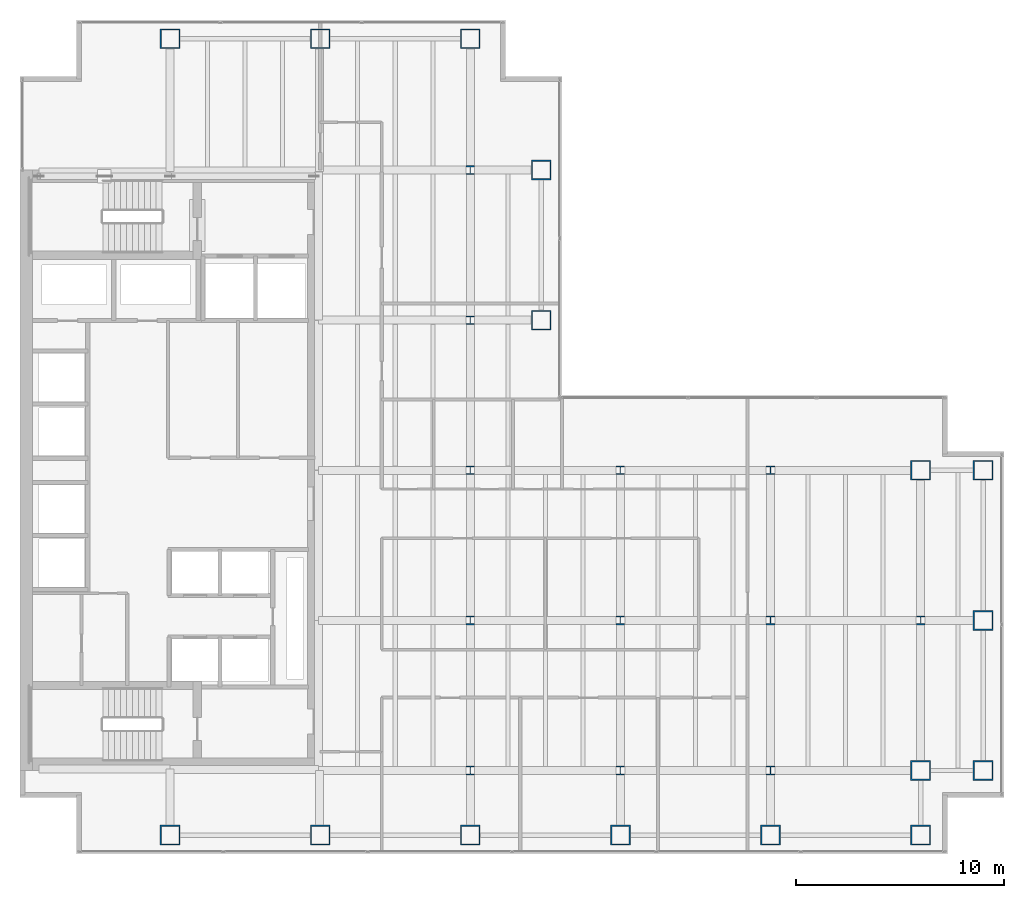
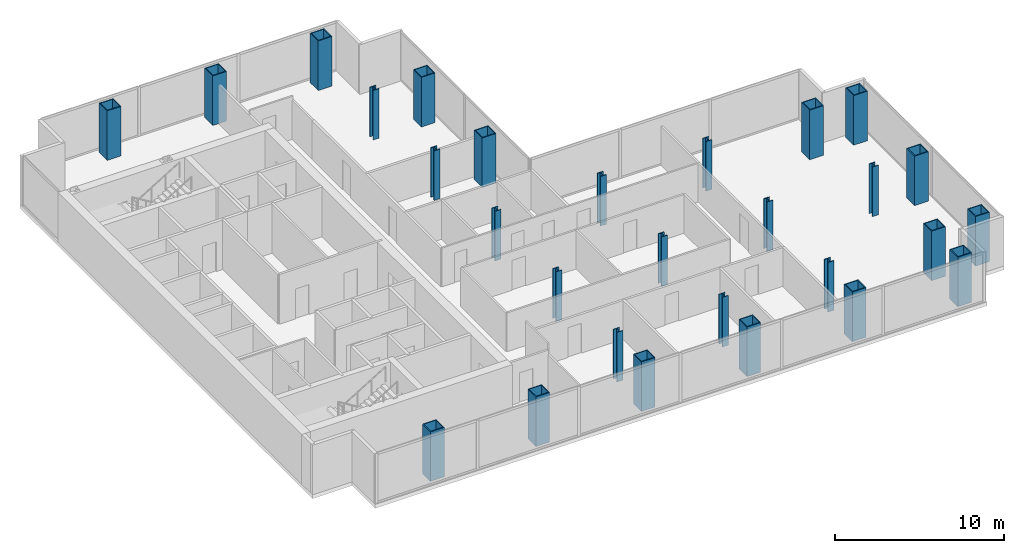
# One storey, part 1 of 23: 28 columns.
"""IFC4 building model written with IfcOpenShell, lengths in metres."""

import ifcopenshell
import ifcopenshell.guid

model = None  # the IFC model being written
_history = None  # IfcOwnerHistory: only IFC2X3 demands one
_inside = {}  # id of a spatial element -> (the spatial element, [elements in it])
_under = {}  # id of a project, library or spatial element -> (it, [spatial elements below it])
_declared = {}  # id of a project -> (the project, [libraries it declares])
_typed = {}  # id of a type object -> (the type object, [elements of that type])
_made_of = {}  # id of a material, layer set ... -> (it, [elements and type objects made of it])


def new_model(schema):
    """Start an empty IFC model of exactly this schema.

    Asked for "IFC4X3", IfcOpenShell would pick the latest addendum, in which some entities
    have other attributes; the version numbers below select the first issue.
    IFC2X3 requires an IfcOwnerHistory on every rooted entity: one is made here for all.
    """
    global model, _history
    if schema == "IFC4X3":
        model = ifcopenshell.file(schema_version=(4, 3, 0, 0))
    else:
        model = ifcopenshell.file(schema=schema)
    _inside.clear()
    _under.clear()
    _declared.clear()
    _typed.clear()
    _made_of.clear()
    _history = None
    if model.schema == "IFC2X3":
        org = make("IfcOrganization", Name="unknown")
        user = make(
            "IfcPersonAndOrganization",
            ThePerson=make("IfcPerson", FamilyName="unknown"),
            TheOrganization=org,
        )
        app = make(
            "IfcApplication",
            ApplicationDeveloper=org,
            Version="unknown",
            ApplicationFullName="unknown",
            ApplicationIdentifier="unknown",
        )
        _history = make(
            "IfcOwnerHistory",
            OwningUser=user,
            OwningApplication=app,
            ChangeAction="ADDED",
            CreationDate=0,
        )
    return model


def make(cls, **values):
    """One entity of the class cls with the attributes given. An attribute that is None is left unset."""
    return model.create_entity(
        cls, **{name: value for name, value in values.items() if value is not None}
    )


def rooted(cls, **values):
    """An entity with a GlobalId (a new one), such as an element, a storey or a relation."""
    return make(cls, GlobalId=ifcopenshell.guid.new(), OwnerHistory=_history, **values)


def si_unit(unit_type, name, prefix=None):
    """IfcSIUnit, for example si_unit("LENGTHUNIT", "METRE", prefix="MILLI")."""
    return make("IfcSIUnit", UnitType=unit_type, Prefix=prefix, Name=name)


def assignment(units):
    """IfcUnitAssignment: the units of a project."""
    return None if units is None else make("IfcUnitAssignment", Units=units)


def point(xyz):
    """IfcCartesianPoint."""
    return None if xyz is None else make("IfcCartesianPoint", Coordinates=xyz)


def direction(xyz):
    """IfcDirection."""
    return None if xyz is None else make("IfcDirection", DirectionRatios=xyz)


def frame(location, z_axis=None, x_axis=None):
    """IfcAxis2Placement3D, a coordinate frame: its origin and axes. An axis left out is left unset."""
    return make(
        "IfcAxis2Placement3D",
        Location=point(location),
        Axis=direction(z_axis),
        RefDirection=direction(x_axis),
    )


def frame_2d(location, x_axis=None):
    """IfcAxis2Placement2D, a coordinate frame in the plane: its origin and x axis."""
    return make(
        "IfcAxis2Placement2D", Location=point(location), RefDirection=direction(x_axis)
    )


def origin():
    """The frame at (0, 0, 0) with its axes left unset."""
    return frame((0.0, 0.0, 0.0))


def origin_2d():
    """The frame at (0, 0) in the plane with its x axis left unset."""
    return frame_2d((0.0, 0.0))


def place(relative_to, where):
    """IfcLocalPlacement: puts the frame where relative to a parent placement (None: the world)."""
    return make(
        "IfcLocalPlacement", PlacementRelTo=relative_to, RelativePlacement=where
    )


def context(
    kind, dimensions, precision=None, world=None, true_north=None, identifier=None
):
    """IfcGeometricRepresentationContext, for example the 3D "Model" context."""
    return make(
        "IfcGeometricRepresentationContext",
        ContextIdentifier=identifier,
        ContextType=kind,
        CoordinateSpaceDimension=dimensions,
        Precision=precision,
        WorldCoordinateSystem=world,
        TrueNorth=true_north,
    )


def subcontext(parent, identifier, kind, view, scale=None):
    """IfcGeometricRepresentationSubContext, for example "Body" below "Model"."""
    return make(
        "IfcGeometricRepresentationSubContext",
        ContextIdentifier=identifier,
        ContextType=kind,
        ParentContext=parent,
        TargetScale=scale,
        TargetView=view,
    )


def project(units=None, contexts=None):
    """IfcProject with its units and contexts."""
    return rooted(
        "IfcProject",
        Name="project",
        RepresentationContexts=contexts,
        UnitsInContext=assignment(units),
    )


def spatial(cls, under=None, at=None, **own):
    """A site, building, storey or space (cls), placed at a placement, below another one or the project."""
    s = rooted(cls, ObjectPlacement=at, **own)
    if under is not None:
        _under.setdefault(under.id(), (under, []))[1].append(s)
    return s


def profile(cls, at=None, kind="AREA", **sizes):
    """A parametric profile (cls). Its sizes go by their IFC names, for example OverallWidth=200.0."""
    return make(cls, ProfileType=kind, Position=at, **sizes)


def hollow_rectangle(**sizes):
    """IfcRectangleHollowProfileDef."""
    return profile("IfcRectangleHollowProfileDef", **sizes)


def i_section(**sizes):
    """IfcIShapeProfileDef."""
    return profile("IfcIShapeProfileDef", **sizes)


def extrude(swept, where, along, depth):
    """IfcExtrudedAreaSolid: the profile swept, set in the frame where, extruded along a direction by depth."""
    return make(
        "IfcExtrudedAreaSolid",
        SweptArea=swept,
        Position=where,
        ExtrudedDirection=direction(along),
        Depth=depth,
    )


def shape(context_of_items, identifier, shape_type, items):
    """IfcShapeRepresentation: the items that make up one representation, for example the "Body"."""
    return make(
        "IfcShapeRepresentation",
        ContextOfItems=context_of_items,
        RepresentationIdentifier=identifier,
        RepresentationType=shape_type,
        Items=items,
    )


def material(Name=None, Category=None):
    """IfcMaterial."""
    return make("IfcMaterial", Name=Name, Category=Category)


def material_profile(
    of_material, cross_section, Name=None, Category=None, Priority=None
):
    """IfcMaterialProfile: a cross section and its material."""
    return make(
        "IfcMaterialProfile",
        Name=Name,
        Material=of_material,
        Profile=cross_section,
        Priority=Priority,
        Category=Category,
    )


def profile_set(profiles, Name=None, composite=None):
    """IfcMaterialProfileSet."""
    return make(
        "IfcMaterialProfileSet",
        Name=Name,
        MaterialProfiles=profiles,
        CompositeProfile=composite,
    )


def made_of(thing, what):
    """Note that an element or type object is made of a material, layer set ...; save() writes the relation."""
    if what is not None:
        _made_of.setdefault(what.id(), (what, []))[1].append(thing)
    return thing


def type_object(cls, material=None, **own):
    """A type object (cls), such as IfcWallType, which elements share."""
    return made_of(rooted(cls, **own), material)


def element(
    cls,
    number,
    at=None,
    inside=None,
    cuts=None,
    type_object=None,
    material=None,
    context=None,
    identifier="Body",
    shape_type=None,
    held_by="IfcProductDefinitionShape",
    body=None,
    shapes=None,
    **own,
):
    """One element of the class cls, such as IfcWall. Its Tag is "e" and its number.

    at: its placement. inside: the storey or other place that contains it. cuts: it is an
    opening in that element (IfcRelVoidsElement). A single representation is given by context,
    identifier, shape_type and body (its items); several are given by shapes. held_by: the class
    of the entity that holds the representations. save() writes the other relations.
    """
    e = rooted(cls, Tag="e%d" % number, ObjectPlacement=at, **own)
    if body is not None:
        shapes = [shape(context, identifier, shape_type, body)]
    if shapes is not None:
        e.Representation = make(held_by, Representations=shapes)
    if inside is not None:
        _inside.setdefault(inside.id(), (inside, []))[1].append(e)
    if cuts is not None:
        rooted(
            "IfcRelVoidsElement", RelatingBuildingElement=cuts, RelatedOpeningElement=e
        )
    if type_object is not None:
        _typed.setdefault(type_object.id(), (type_object, []))[1].append(e)
    return made_of(e, material)


def aggregate(whole, parts):
    """IfcRelAggregates: a whole, such as a stair, and the parts it consists of."""
    return rooted("IfcRelAggregates", RelatingObject=whole, RelatedObjects=parts)


def save(model, path):
    """Write the relations noted so far, then the file.

    IfcRelAggregates (storeys below a building ...), IfcRelContainedInSpatialStructure (elements
    in a storey), IfcRelDefinesByType, IfcRelAssociatesMaterial and IfcRelDeclares: one each for
    every whole, place, type object, material and project.
    """
    for whole, parts in _under.values():
        aggregate(whole, parts)
    for where, things in _inside.values():
        rooted(
            "IfcRelContainedInSpatialStructure",
            RelatedElements=things,
            RelatingStructure=where,
        )
    for kind, things in _typed.values():
        rooted("IfcRelDefinesByType", RelatedObjects=things, RelatingType=kind)
    for what, things in _made_of.values():
        rooted("IfcRelAssociatesMaterial", RelatedObjects=things, RelatingMaterial=what)
    for by, libraries in _declared.values():
        rooted("IfcRelDeclares", RelatingContext=by, RelatedDefinitions=libraries)
    model.write(path)


model = new_model("IFC4")

# Units and contexts
model_context = context("Model", 3, precision=1e-05, world=origin(), true_north=direction((0.0, 1.0)))
body_context = subcontext(model_context, "Body", "Model", "MODEL_VIEW")
ifc_project = project(units=[si_unit("LENGTHUNIT", "METRE"), si_unit("AREAUNIT", "SQUARE_METRE"), si_unit("VOLUMEUNIT", "CUBIC_METRE"), si_unit("PLANEANGLEUNIT", "RADIAN"), si_unit("MASSUNIT", "GRAM", prefix="KILO")], contexts=[model_context])

# Site, building, storey
site_placement = place(None, origin())
site = spatial("IfcSite", under=ifc_project, at=site_placement, CompositionType="ELEMENT")
building_placement = place(site_placement, origin())
building = spatial("IfcBuilding", under=site, at=building_placement, Name="Cobrela Telecom Tower", CompositionType="ELEMENT")
storey_placement = place(building_placement, frame((0.0, 0.0, 109.89990234375)))
storey = spatial("IfcBuildingStorey", under=building, at=storey_placement, Name="L27", CompositionType="ELEMENT", Elevation=109.89990234375)

# Columns
ifc_material_1 = material(Name="Steel ASTM A992 Grade 50", Category="steel")
ifc_material_profile_1 = material_profile(ifc_material_1, i_section(OverallWidth=0.408935546875, OverallDepth=0.424072265625, WebThickness=0.03271484375, FlangeThickness=0.052490234375, FilletRadius=0.01806640625, at=origin_2d()), Name="W14X283")
ifc_profile_set_1 = profile_set([ifc_material_profile_1], Name="Steel ASTM A992 Grade 50")
column_type_1 = type_object("IfcColumnType", Name="COL-INT-05", PredefinedType="COLUMN", material=ifc_profile_set_1)
for number, where, z_axis, x_axis, name in (
    (1, (21.60009765625, 7.199951171875, 0.0), (0.0, 0.0, 1.0), (1.0, 0.0, 0.0), "L27 Interior Column 06"),
    (2, (21.60009765625, 14.39990234375, 0.0), (0.0, 0.0, 1.0), (1.0, 0.0, 0.0), "L27 Interior Column 07"),
    (3, (21.60009765625, 21.60009765625, 0.0), (0.0, 0.0, 1.0), (1.0, 0.0, 0.0), "L27 Interior Column 08"),
    (4, (21.60009765625, 28.800048828125, 0.0), (0.0, 0.0, 1.0), (1.0, 0.0, 0.0), "L27 Interior Column 09"),
    (5, (21.60009765625, 36.0, 0.0), (0.0, 0.0, 1.0), (1.0, 0.0, 0.0), "L27 Interior Column 10"),
    (6, (28.800048828125, 7.199951171875, 0.0), (0.0, 0.0, 1.0), (1.0, 0.0, 0.0), "L27 Interior Column 15"),
    (7, (28.800048828125, 14.39990234375, 0.0), (0.0, 0.0, 1.0), (1.0, 0.0, 0.0), "L27 Interior Column 16"),
    (8, (28.800048828125, 21.60009765625, 0.0), (0.0, 0.0, 1.0), (1.0, 0.0, 0.0), "L27 Interior Column 17"),
    (9, (36.0, 7.199951171875, 0.0), (0.0, 0.0, 1.0), (1.0, 0.0, 0.0), "L27 Interior Column 19"),
    (10, (36.0, 14.39990234375, 0.0), (0.0, 0.0, 1.0), (1.0, 0.0, 0.0), "L27 Interior Column 20"),
    (11, (36.0, 21.60009765625, 0.0), (0.0, 0.0, 1.0), (1.0, 0.0, 0.0), "L27 Interior Column 21"),
    (12, (43.199951171875, 14.39990234375, 0.0), (0.0, 0.0, 1.0), (1.0, 0.0, 0.0), "L27 Interior Column 24"),
):
    element("IfcColumn", number, at=place(storey_placement, frame(where, z_axis=z_axis, x_axis=x_axis)), inside=storey, type_object=column_type_1, Name=name, PredefinedType="COLUMN", context=body_context, shape_type="SweptSolid", body=[
        extrude(i_section(OverallWidth=0.408935546875, OverallDepth=0.424072265625, WebThickness=0.03271484375, FlangeThickness=0.052490234375, FilletRadius=0.01806640625, at=origin_2d()), origin(), (0.0, 0.0, 1.0), 3.580078125),
    ])
ifc_material_2 = material(Name="Steel ASTM A572 Grade 50", Category="steel")
ifc_material_profile_2 = material_profile(ifc_material_2, hollow_rectangle(XDim=0.949951171875, YDim=0.949951171875, WallThickness=0.06005859375, at=origin_2d()), Name="BOX 950x950x60")
ifc_profile_set_2 = profile_set([ifc_material_profile_2], Name="Steel ASTM A572 Grade 50")
column_type_2 = type_object("IfcColumnType", Name="COL-MEGA-04", PredefinedType="COLUMN", material=ifc_profile_set_2)
for number, where, z_axis, x_axis, name in (
    (13, (7.199951171875, 4.10009765625, 0.0), (0.0, 0.0, 1.0), (1.0, 0.0, 0.0), "L27 Perimeter Mega-Column 01"),
    (14, (7.199951171875, 42.300048828125, 0.0), (0.0, 0.0, 1.0), (1.0, 0.0, 0.0), "L27 Perimeter Mega-Column 02"),
    (15, (14.39990234375, 4.10009765625, 0.0), (0.0, 0.0, 1.0), (1.0, 0.0, 0.0), "L27 Perimeter Mega-Column 03"),
    (16, (14.39990234375, 42.300048828125, 0.0), (0.0, 0.0, 1.0), (1.0, 0.0, 0.0), "L27 Perimeter Mega-Column 04"),
    (17, (21.60009765625, 4.10009765625, 0.0), (0.0, 0.0, 1.0), (1.0, 0.0, 0.0), "L27 Perimeter Mega-Column 05"),
    (18, (21.60009765625, 42.300048828125, 0.0), (0.0, 0.0, 1.0), (1.0, 0.0, 0.0), "L27 Perimeter Mega-Column 11"),
    (19, (25.0, 28.800048828125, 0.0), (0.0, 0.0, 1.0), (1.0, 0.0, 0.0), "L27 Perimeter Mega-Column 12"),
    (20, (25.0, 36.0, 0.0), (0.0, 0.0, 1.0), (1.0, 0.0, 0.0), "L27 Perimeter Mega-Column 13"),
    (21, (28.800048828125, 4.10009765625, 0.0), (0.0, 0.0, 1.0), (1.0, 0.0, 0.0), "L27 Perimeter Mega-Column 14"),
    (22, (36.0, 4.10009765625, 0.0), (0.0, 0.0, 1.0), (1.0, 0.0, 0.0), "L27 Perimeter Mega-Column 18"),
    (23, (43.199951171875, 4.10009765625, 0.0), (0.0, 0.0, 1.0), (1.0, 0.0, 0.0), "L27 Perimeter Mega-Column 22"),
    (24, (43.199951171875, 7.199951171875, 0.0), (0.0, 0.0, 1.0), (1.0, 0.0, 0.0), "L27 Perimeter Mega-Column 23"),
    (25, (43.199951171875, 21.60009765625, 0.0), (0.0, 0.0, 1.0), (1.0, 0.0, 0.0), "L27 Perimeter Mega-Column 25"),
    (26, (46.199951171875, 7.199951171875, 0.0), (0.0, 0.0, 1.0), (1.0, 0.0, 0.0), "L27 Perimeter Mega-Column 26"),
    (27, (46.199951171875, 14.39990234375, 0.0), (0.0, 0.0, 1.0), (1.0, 0.0, 0.0), "L27 Perimeter Mega-Column 27"),
    (28, (46.199951171875, 21.60009765625, 0.0), (0.0, 0.0, 1.0), (1.0, 0.0, 0.0), "L27 Perimeter Mega-Column 28"),
):
    element("IfcColumn", number, at=place(storey_placement, frame(where, z_axis=z_axis, x_axis=x_axis)), inside=storey, type_object=column_type_2, Name=name, PredefinedType="COLUMN", context=body_context, shape_type="SweptSolid", body=[
        extrude(hollow_rectangle(XDim=0.949951171875, YDim=0.949951171875, WallThickness=0.06005859375, at=origin_2d()), origin(), (0.0, 0.0, 1.0), 3.580078125),
    ])

save(model, "model.ifc")
